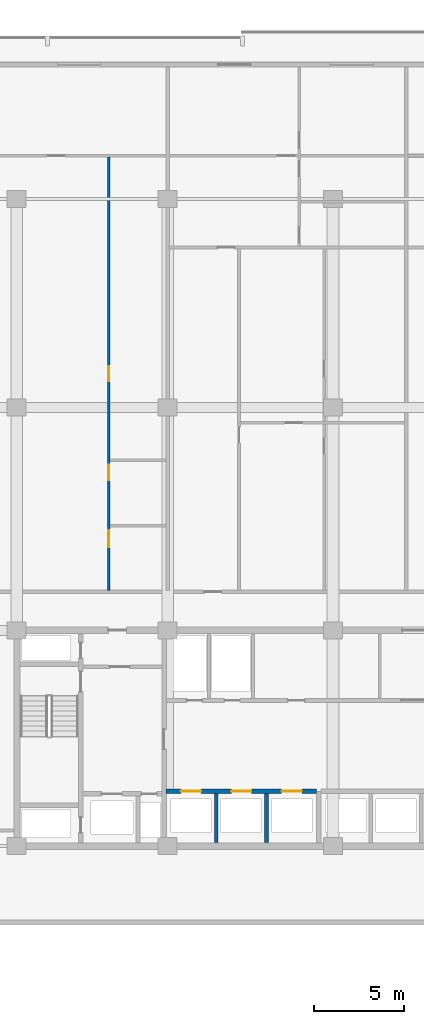
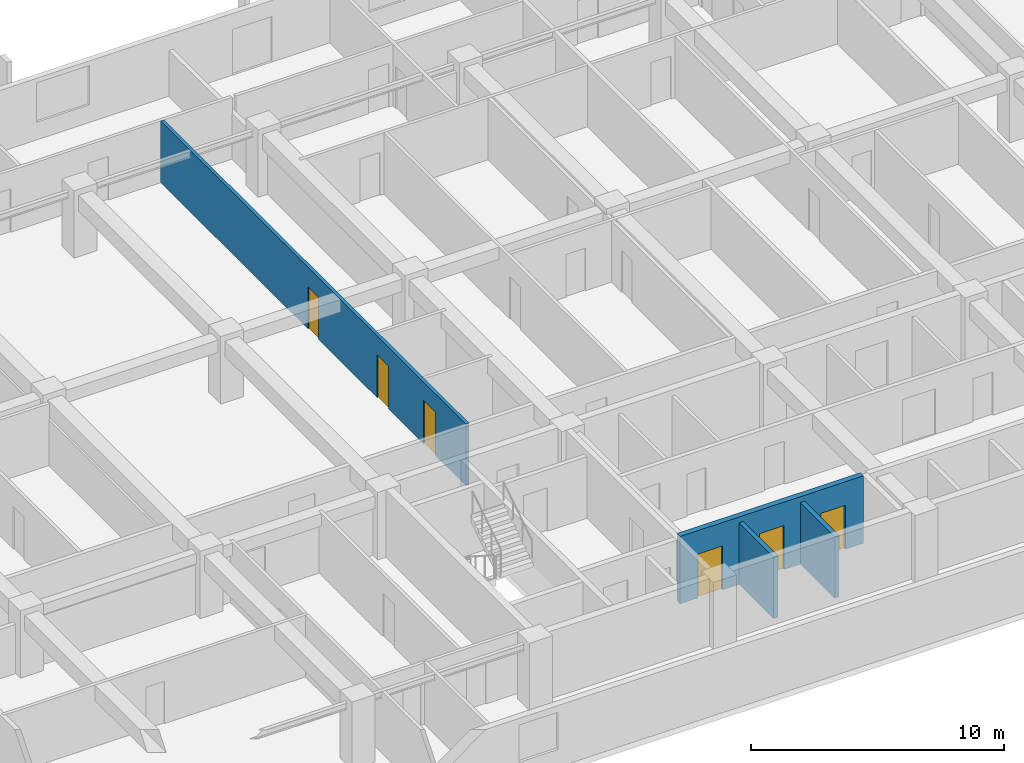
# One storey, part 10 of 23: 6 doors, 4 walls, 6 openings.
"""IFC4 building model written with IfcOpenShell, lengths in metres."""

from ifc_helpers import new_model, si_unit, direction, frame, frame_2d, origin, place, context, subcontext, project, spatial, rectangle, extrude, material, layer, layer_set, type_object, element, fill, save


model = new_model("IFC4")

# Units and contexts
model_context = context("Model", 3, precision=1e-05, world=origin(), true_north=direction((0.0, 1.0)))
body_context = subcontext(model_context, "Body", "Model", "MODEL_VIEW")
ifc_project = project(units=[si_unit("LENGTHUNIT", "METRE"), si_unit("AREAUNIT", "SQUARE_METRE"), si_unit("VOLUMEUNIT", "CUBIC_METRE"), si_unit("PLANEANGLEUNIT", "RADIAN"), si_unit("MASSUNIT", "GRAM", prefix="KILO")], contexts=[model_context])

# Site, building, storey
site_placement = place(None, origin())
site = spatial("IfcSite", under=ifc_project, at=site_placement, CompositionType="ELEMENT")
building_placement = place(site_placement, origin())
building = spatial("IfcBuilding", under=site, at=building_placement, Name="Korimba Cascade Residences", CompositionType="ELEMENT")
storey_placement = place(building_placement, frame((0.0, 0.0, 37.0)))
storey = spatial("IfcBuildingStorey", under=building, at=storey_placement, Name="L09", CompositionType="ELEMENT", Elevation=37.0)

# Wall, openings, doors
ifc_material_1 = material(Name="Insulated Acoustic Stud Partition", Category="gypsum")
ifc_layer_1 = layer(ifc_material_1, 0.14990234375)
ifc_layer_set_1 = layer_set([ifc_layer_1], Name="Insulated Acoustic Stud Partition")
wall_type_1 = type_object("IfcWallType", Name="WAL-PART-150", PredefinedType="PARTITIONING", material=ifc_layer_set_1)
wall_1_placement = place(storey_placement, frame((81.2294921875, 69.409912109375, 0.0), z_axis=(0.0, 0.0, 1.0), x_axis=(0.0, 1.0, 0.0)))
wall_1 = element("IfcWall", 1, at=wall_1_placement, inside=storey, type_object=wall_type_1, Name="L09 Partition Wall WAL-L09-T1-U02-WCV", PredefinedType="PARTITIONING", context=body_context, shape_type="SweptSolid", body=[
    extrude(rectangle(XDim=24.130126953125, YDim=0.14990234375, at=frame_2d((12.06494140625, 0.0))), origin(), (0.0, 0.0, 1.0), 2.969970703125),
])
opening_1_placement = place(wall_1_placement, frame((2.406005859375, 0.0, 0.0)))
opening_1 = element("IfcOpeningElement", 2, at=opening_1_placement, cuts=wall_1, Name="Opening D-AC1", PredefinedType="OPENING", context=body_context, shape_type="SweptSolid", body=[
    extrude(rectangle(XDim=0.9599609375, YDim=2.10009765625, at=frame_2d((0.47998046875, 1.050048828125))), frame((0.0, 0.0849609375, 0.0), z_axis=(0.0, -1.0, 0.0), x_axis=(1.0, 0.0, 0.0)), (0.0, 0.0, 1.0), 0.169921875),
])
opening_2_placement = place(wall_1_placement, frame((6.132568359375, 0.0, 0.0)))
opening_2 = element("IfcOpeningElement", 3, at=opening_2_placement, cuts=wall_1, Name="Opening D-IN2", PredefinedType="OPENING", context=body_context, shape_type="SweptSolid", body=[
    extrude(rectangle(XDim=0.8798828125, YDim=2.06005859375, at=frame_2d((0.43994140625, 1.030029296875))), frame((0.0, 0.0849609375, 0.0), z_axis=(0.0, -1.0, 0.0), x_axis=(1.0, 0.0, 0.0)), (0.0, 0.0, 1.0), 0.169921875),
])
opening_3_placement = place(wall_1_placement, frame((11.64501953125, 0.0, 0.0)))
opening_3 = element("IfcOpeningElement", 4, at=opening_3_placement, cuts=wall_1, Name="Opening D-BT1", PredefinedType="OPENING", context=body_context, shape_type="SweptSolid", body=[
    extrude(rectangle(XDim=0.840087890625, YDim=2.0400390625, at=frame_2d((0.419921875, 1.02001953125))), frame((0.0, 0.0849609375, 0.0), z_axis=(0.0, -1.0, 0.0), x_axis=(1.0, 0.0, 0.0)), (0.0, 0.0, 1.0), 0.169921875),
])
ifc_material_2 = material(Name="Accessible Acoustic Timber WC Door", Category="wood")
door_type_1 = type_object("IfcDoorType", Name="DR-ACC-950", OperationType="NOTDEFINED", PredefinedType="DOOR", material=ifc_material_2)
door_1_placement = place(opening_1_placement, origin())
door_1 = element("IfcDoor", 5, at=door_1_placement, inside=storey, type_object=door_type_1, Name="L09-T1-U02 Accessible WC Door", OperationType="SINGLE_SWING_LEFT", OverallHeight=2.10009765625, OverallWidth=0.9599609375, PredefinedType="DOOR", context=body_context, shape_type="SweptSolid", body=[
    extrude(rectangle(XDim=0.9599609375, YDim=2.10009765625, at=frame_2d((0.47998046875, 1.050048828125))), frame((0.0, 0.02490234375, 0.0), z_axis=(0.0, -1.0, 0.0), x_axis=(1.0, 0.0, 0.0)), (0.0, 0.0, 1.0), 0.050048828125),
])
fill(opening_1, door_1)
ifc_material_3 = material(Name="Moisture-Resistant Bathroom Timber Door", Category="wood")
door_type_2 = type_object("IfcDoorType", Name="DR-INT-850", OperationType="NOTDEFINED", PredefinedType="DOOR", material=ifc_material_3)
door_2_placement = place(opening_3_placement, origin())
door_2 = element("IfcDoor", 6, at=door_2_placement, inside=storey, type_object=door_type_2, Name="L09-T1-U02 Suite Store Door", OperationType="SINGLE_SWING_LEFT", OverallHeight=2.0400390625, OverallWidth=0.840087890625, PredefinedType="DOOR", context=body_context, shape_type="SweptSolid", body=[
    extrude(rectangle(XDim=0.840087890625, YDim=2.0400390625, at=frame_2d((0.419921875, 1.02001953125))), frame((0.0, 0.02490234375, 0.0), z_axis=(0.0, -1.0, 0.0), x_axis=(1.0, 0.0, 0.0)), (0.0, 0.0, 1.0), 0.050048828125),
])
fill(opening_3, door_2)
ifc_material_4 = material(Name="Acoustic Timber Bedroom Door", Category="wood")
door_type_3 = type_object("IfcDoorType", Name="DR-INT-880", OperationType="NOTDEFINED", PredefinedType="DOOR", material=ifc_material_4)
door_3_placement = place(opening_2_placement, origin())
door_3 = element("IfcDoor", 7, at=door_3_placement, inside=storey, type_object=door_type_3, Name="L09-T1-U02 Restroom WC Door", OperationType="SINGLE_SWING_RIGHT", OverallHeight=2.06005859375, OverallWidth=0.8798828125, PredefinedType="DOOR", context=body_context, shape_type="SweptSolid", body=[
    extrude(rectangle(XDim=0.8798828125, YDim=2.06005859375, at=frame_2d((0.43994140625, 1.030029296875))), frame((0.0, 0.02490234375, 0.0), z_axis=(0.0, -1.0, 0.0), x_axis=(1.0, 0.0, 0.0)), (0.0, 0.0, 1.0), 0.050048828125),
])
fill(opening_2, door_3)

# Walls
ifc_material_5 = material(Name="Concrete C40/50", Category="concrete")
ifc_layer_2 = layer(ifc_material_5, 0.199951171875)
ifc_layer_set_2 = layer_set([ifc_layer_2], Name="Concrete C40/50")
wall_type_2 = type_object("IfcWallType", Name="WAL-PART-200", PredefinedType="PARTITIONING", material=ifc_layer_set_2)
for number, where, z_axis, x_axis, name in (
    (8, (87.199951171875, 55.39990234375, 0.0), (0.0, 0.0, 1.0), (0.0, 1.0, 0.0), "L09 Partition Wall CW-L09-T1-B1D1"),
    (9, (90.0, 55.39990234375, 0.0), (0.0, 0.0, 1.0), (0.0, 1.0, 0.0), "L09 Partition Wall CW-L09-T1-B1D2"),
):
    element("IfcWall", number, at=place(storey_placement, frame(where, z_axis=z_axis, x_axis=x_axis)), inside=storey, type_object=wall_type_2, Name=name, PredefinedType="PARTITIONING", context=body_context, shape_type="SweptSolid", body=[
        extrude(rectangle(XDim=2.72021484375, YDim=0.199951171875, at=frame_2d((1.360107421875, 0.0))), origin(), (0.0, 0.0, 1.0), 2.969970703125),
    ])

# Wall, openings, doors
ifc_material_6 = material(Name="Concrete C50/60", Category="concrete")
ifc_layer_3 = layer(ifc_material_6, 0.25)
ifc_layer_set_3 = layer_set([ifc_layer_3], Name="Concrete C50/60")
wall_type_3 = type_object("IfcWallType", Name="WAL-SHAFT-250", PredefinedType="SHEAR", material=ifc_layer_set_3)
wall_2_placement = place(storey_placement, frame((84.419921875, 58.25, 0.0), z_axis=(0.0, 0.0, 1.0), x_axis=(1.0, 0.0, 0.0)))
wall_2 = element("IfcWall", 10, at=wall_2_placement, inside=storey, type_object=wall_type_3, Name="L09 Core Shear Wall CW-L09-T1-B1N", PredefinedType="SHEAR", context=body_context, shape_type="SweptSolid", body=[
    extrude(rectangle(XDim=8.360107421875, YDim=0.25, at=frame_2d((4.18017578125, 0.0))), origin(), (0.0, 0.0, 1.0), 3.25),
])
opening_4_placement = place(wall_2_placement, frame((0.820068359375, 0.0, 0.0)))
opening_4 = element("IfcOpeningElement", 11, at=opening_4_placement, cuts=wall_2, Name="Opening LD-01", PredefinedType="OPENING", context=body_context, shape_type="SweptSolid", body=[
    extrude(rectangle(XDim=1.1201171875, YDim=2.1201171875, at=frame_2d((0.56005859375, 1.06005859375))), frame((0.0, 0.135009765625, 0.0), z_axis=(0.0, -1.0, 0.0), x_axis=(1.0, 0.0, 0.0)), (0.0, 0.0, 1.0), 0.27001953125),
])
opening_5_placement = place(wall_2_placement, frame((3.6201171875, 0.0, 0.0)))
opening_5 = element("IfcOpeningElement", 12, at=opening_5_placement, cuts=wall_2, Name="Opening LD-01", PredefinedType="OPENING", context=body_context, shape_type="SweptSolid", body=[
    extrude(rectangle(XDim=1.1201171875, YDim=2.1201171875, at=frame_2d((0.56005859375, 1.06005859375))), frame((0.0, 0.135009765625, 0.0), z_axis=(0.0, -1.0, 0.0), x_axis=(1.0, 0.0, 0.0)), (0.0, 0.0, 1.0), 0.27001953125),
])
opening_6_placement = place(wall_2_placement, frame((6.419921875, 0.0, 0.0)))
opening_6 = element("IfcOpeningElement", 13, at=opening_6_placement, cuts=wall_2, Name="Opening LD-01", PredefinedType="OPENING", context=body_context, shape_type="SweptSolid", body=[
    extrude(rectangle(XDim=1.1201171875, YDim=2.1201171875, at=frame_2d((0.56005859375, 1.06005859375))), frame((0.0, 0.135009765625, 0.0), z_axis=(0.0, -1.0, 0.0), x_axis=(1.0, 0.0, 0.0)), (0.0, 0.0, 1.0), 0.27001953125),
])
ifc_material_7 = material(Name="Stainless Steel Lift Landing Sliding Door", Category="steel")
door_type_4 = type_object("IfcDoorType", Name="DR-LIFT-1100", OperationType="NOTDEFINED", PredefinedType="DOOR", material=ifc_material_7)
door_4_placement = place(opening_4_placement, origin())
door_4 = element("IfcDoor", 14, at=door_4_placement, inside=storey, type_object=door_type_4, Name="L09 Lift Landing Door PL-W1", OperationType="SLIDING_TO_LEFT", OverallHeight=2.1201171875, OverallWidth=1.1201171875, PredefinedType="DOOR", context=body_context, shape_type="SweptSolid", body=[
    extrude(rectangle(XDim=1.1201171875, YDim=2.1201171875, at=frame_2d((0.56005859375, 1.06005859375))), frame((0.0, 0.02490234375, 0.0), z_axis=(0.0, -1.0, 0.0), x_axis=(1.0, 0.0, 0.0)), (0.0, 0.0, 1.0), 0.050048828125),
])
fill(opening_4, door_4)
door_5_placement = place(opening_5_placement, origin())
door_5 = element("IfcDoor", 15, at=door_5_placement, inside=storey, type_object=door_type_4, Name="L09 Lift Landing Door PL-W2", OperationType="SLIDING_TO_LEFT", OverallHeight=2.1201171875, OverallWidth=1.1201171875, PredefinedType="DOOR", context=body_context, shape_type="SweptSolid", body=[
    extrude(rectangle(XDim=1.1201171875, YDim=2.1201171875, at=frame_2d((0.56005859375, 1.06005859375))), frame((0.0, 0.02490234375, 0.0), z_axis=(0.0, -1.0, 0.0), x_axis=(1.0, 0.0, 0.0)), (0.0, 0.0, 1.0), 0.050048828125),
])
fill(opening_5, door_5)
door_6_placement = place(opening_6_placement, origin())
door_6 = element("IfcDoor", 16, at=door_6_placement, inside=storey, type_object=door_type_4, Name="L09 Lift Landing Door PL-W3", OperationType="SLIDING_TO_LEFT", OverallHeight=2.1201171875, OverallWidth=1.1201171875, PredefinedType="DOOR", context=body_context, shape_type="SweptSolid", body=[
    extrude(rectangle(XDim=1.1201171875, YDim=2.1201171875, at=frame_2d((0.56005859375, 1.06005859375))), frame((0.0, 0.02490234375, 0.0), z_axis=(0.0, -1.0, 0.0), x_axis=(1.0, 0.0, 0.0)), (0.0, 0.0, 1.0), 0.050048828125),
])
fill(opening_6, door_6)

save(model, "model.ifc")
